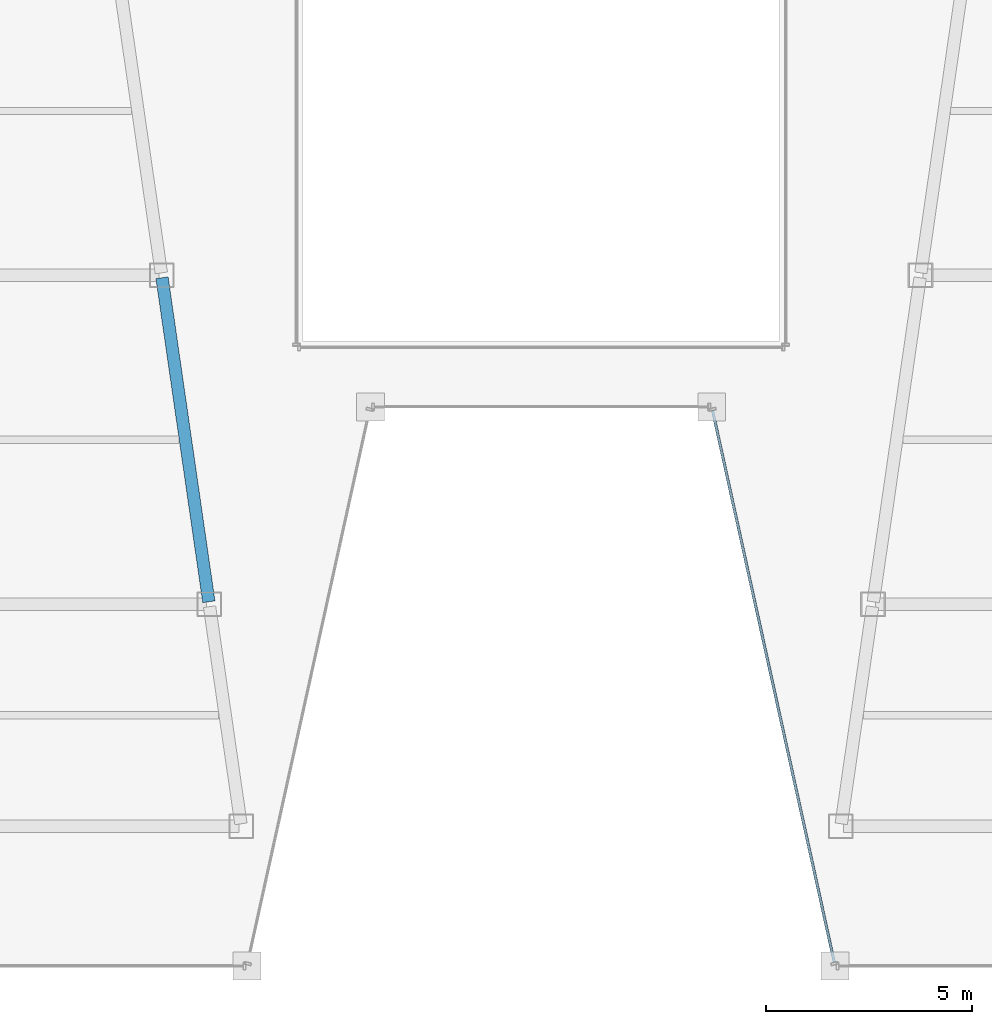
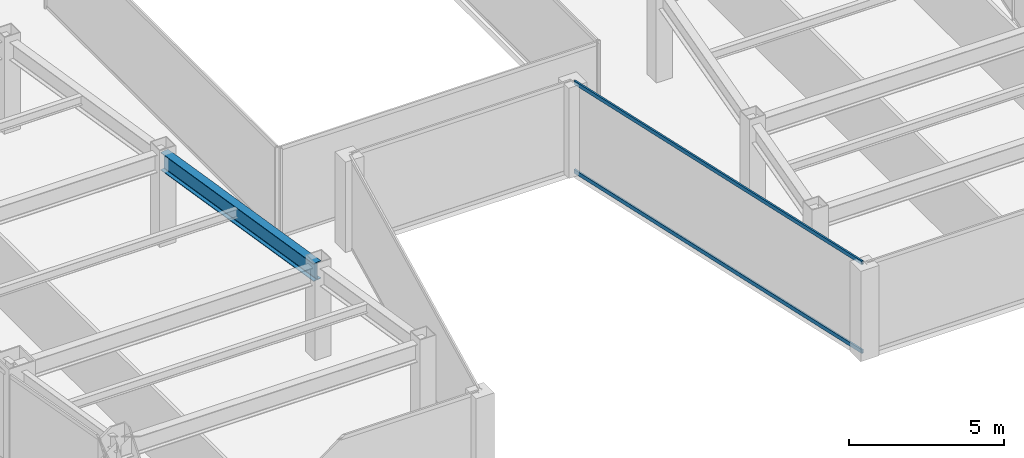
# One storey, part 6 of 36: 2 members, 1 beam, 1 element without a shape of its own.
"""IFC4 building model written with IfcOpenShell, lengths in metres."""

from ifc_helpers import new_model, si_unit, direction, frame, origin, origin_2d, place, context, subcontext, project, spatial, hollow_rectangle, i_section, extrude, material, material_profile, profile_set, type_object, element, aggregate, save


model = new_model("IFC4")

# Units and contexts
model_context = context("Model", 3, precision=1e-05, world=origin(), true_north=direction((0.0, 1.0)))
body_context = subcontext(model_context, "Body", "Model", "MODEL_VIEW")
ifc_project = project(units=[si_unit("LENGTHUNIT", "METRE"), si_unit("AREAUNIT", "SQUARE_METRE"), si_unit("VOLUMEUNIT", "CUBIC_METRE"), si_unit("PLANEANGLEUNIT", "RADIAN"), si_unit("MASSUNIT", "GRAM", prefix="KILO")], contexts=[model_context])

# Site, building, storey
site_placement = place(None, origin())
site = spatial("IfcSite", under=ifc_project, at=site_placement, CompositionType="ELEMENT")
building_placement = place(site_placement, origin())
building = spatial("IfcBuilding", under=site, at=building_placement, Name="Saevonmaru Cultural Tower", CompositionType="ELEMENT")
storey_placement = place(building_placement, frame((0.0, 0.0, 152.39990234375)))
storey = spatial("IfcBuildingStorey", under=building, at=storey_placement, Name="L33", CompositionType="ELEMENT", Elevation=152.39990234375)

# Beam
ifc_material_1 = material(Name="Steel SM355", Category="steel")
ifc_material_profile_1 = material_profile(ifc_material_1, i_section(OverallWidth=0.300048828125, OverallDepth=0.699951171875, WebThickness=0.012939453125, FlangeThickness=0.02392578125, FilletRadius=0.02587890625, at=origin_2d()), Name="H-700x300x13x24")
ifc_profile_set_1 = profile_set([ifc_material_profile_1], Name="Steel SM355")
beam_type = type_object("IfcBeamType", Name="BM-G-H700", PredefinedType="BEAM", material=ifc_profile_set_1)
beam_placement = place(storey_placement, frame((21.91943359375, 16.059326171875, 3.2001953125), z_axis=(-0.143022161059, 0.989719486241, 0.0), x_axis=(-0.989719486241, -0.143022161059, 0.0)))
element("IfcBeam", 1, at=beam_placement, inside=storey, type_object=beam_type, Name="L33 West Atrium Girder 2", PredefinedType="BEAM", context=body_context, shape_type="SweptSolid", body=[
    extrude(i_section(OverallWidth=0.300048828125, OverallDepth=0.699951171875, WebThickness=0.012939453125, FlangeThickness=0.02392578125, FilletRadius=0.02587890625, at=origin_2d()), origin(), (0.0, 0.0, 1.0), 7.963134765625),
])

# Curtain wall, members
ifc_material_2 = material(Name="Satin Bronze Anodised Aluminium", Category="aluminium")
curtain_wall_type = type_object("IfcCurtainWallType", Name="CW-TYP-A", PredefinedType="NOTDEFINED", material=ifc_material_2)
curtain_wall_placement = place(storey_placement, origin())
curtain_wall = element("IfcCurtainWall", 2, at=curtain_wall_placement, inside=storey, type_object=curtain_wall_type, Name="L33 Unitised Curtain Wall E5", PredefinedType="NOTDEFINED")
ifc_material_profile_2 = material_profile(ifc_material_2, hollow_rectangle(XDim=0.06494140625, YDim=0.14990234375, WallThickness=0.00390625, at=origin_2d()), Name="ALU-TRAN-150x65x4")
ifc_profile_set_2 = profile_set([ifc_material_profile_2], Name="Satin Bronze Anodised Aluminium")
member_type = type_object("IfcMemberType", Name="TR-CW-150x65", PredefinedType="USERDEFINED", material=ifc_profile_set_2)
member_1_placement = place(storey_placement, frame((34.1708984375, 20.709716796875, 0.03271484375), z_axis=(0.21541214732, -0.976523223885, 0.0), x_axis=(0.976523223885, 0.21541214732, 0.0)))
member_1 = element("IfcMember", 3, at=member_1_placement, type_object=member_type, Name="CW-TW-L33-E5 transom 1.1", ObjectType="TRANSOM", PredefinedType="USERDEFINED", context=body_context, shape_type="SweptSolid", body=[
    extrude(hollow_rectangle(XDim=0.06494140625, YDim=0.14990234375, WallThickness=0.00390625, at=origin_2d()), origin(), (0.0, 0.0, 1.0), 13.741943359375),
])
member_2_placement = place(storey_placement, frame((34.1708984375, 20.709716796875, 3.517578125), z_axis=(0.21541214732, -0.976523223885, 0.0), x_axis=(0.976523223885, 0.21541214732, 0.0)))
member_2 = element("IfcMember", 4, at=member_2_placement, type_object=member_type, Name="CW-TW-L33-E5 transom 1.2", ObjectType="TRANSOM", PredefinedType="USERDEFINED", context=body_context, shape_type="SweptSolid", body=[
    extrude(hollow_rectangle(XDim=0.06494140625, YDim=0.14990234375, WallThickness=0.00390625, at=origin_2d()), origin(), (0.0, 0.0, 1.0), 13.741943359375),
])
aggregate(curtain_wall, [member_1, member_2])

save(model, "model.ifc")
